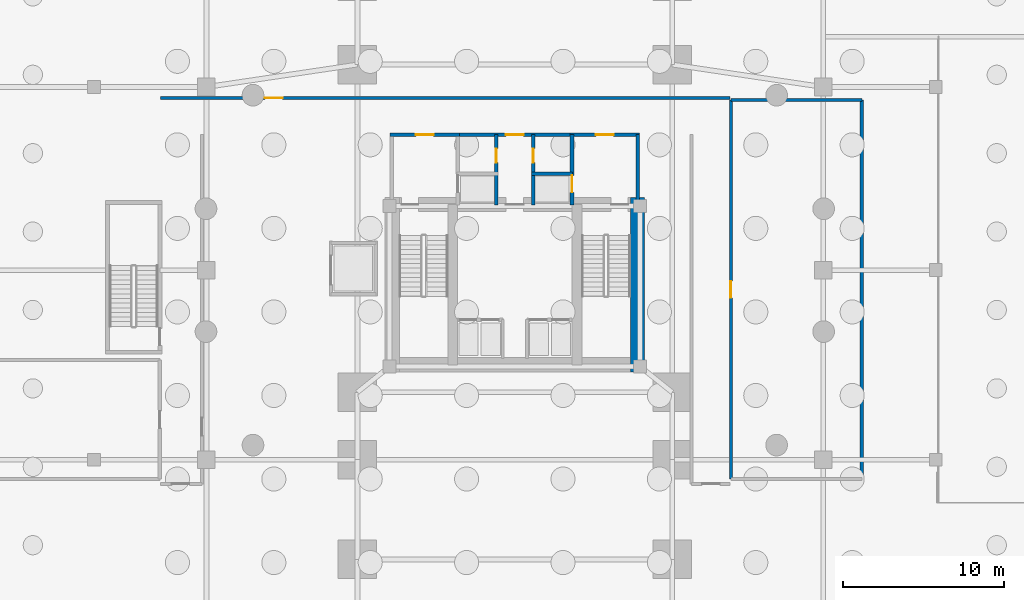
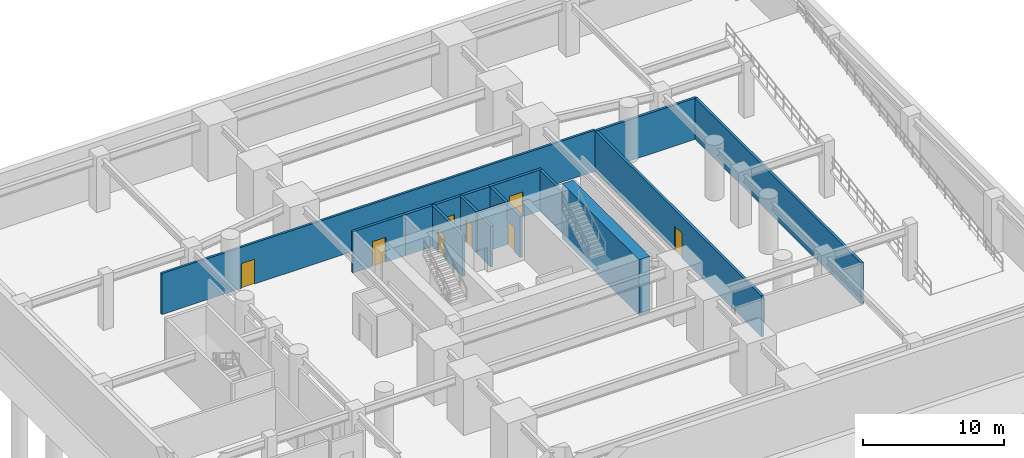
# One storey, part 4 of 8: 13 walls, 8 doors, 8 openings.
"""IFC4 building model written with IfcOpenShell, lengths in metres."""

import ifcopenshell
import ifcopenshell.guid

model = None  # the IFC model being written
_history = None  # IfcOwnerHistory: only IFC2X3 demands one
_inside = {}  # id of a spatial element -> (the spatial element, [elements in it])
_under = {}  # id of a project, library or spatial element -> (it, [spatial elements below it])
_declared = {}  # id of a project -> (the project, [libraries it declares])
_typed = {}  # id of a type object -> (the type object, [elements of that type])
_made_of = {}  # id of a material, layer set ... -> (it, [elements and type objects made of it])


def new_model(schema):
    """Start an empty IFC model of exactly this schema.

    Asked for "IFC4X3", IfcOpenShell would pick the latest addendum, in which some entities
    have other attributes; the version numbers below select the first issue.
    IFC2X3 requires an IfcOwnerHistory on every rooted entity: one is made here for all.
    """
    global model, _history
    if schema == "IFC4X3":
        model = ifcopenshell.file(schema_version=(4, 3, 0, 0))
    else:
        model = ifcopenshell.file(schema=schema)
    _inside.clear()
    _under.clear()
    _declared.clear()
    _typed.clear()
    _made_of.clear()
    _history = None
    if model.schema == "IFC2X3":
        org = make("IfcOrganization", Name="unknown")
        user = make(
            "IfcPersonAndOrganization",
            ThePerson=make("IfcPerson", FamilyName="unknown"),
            TheOrganization=org,
        )
        app = make(
            "IfcApplication",
            ApplicationDeveloper=org,
            Version="unknown",
            ApplicationFullName="unknown",
            ApplicationIdentifier="unknown",
        )
        _history = make(
            "IfcOwnerHistory",
            OwningUser=user,
            OwningApplication=app,
            ChangeAction="ADDED",
            CreationDate=0,
        )
    return model


def make(cls, **values):
    """One entity of the class cls with the attributes given. An attribute that is None is left unset."""
    return model.create_entity(
        cls, **{name: value for name, value in values.items() if value is not None}
    )


def rooted(cls, **values):
    """An entity with a GlobalId (a new one), such as an element, a storey or a relation."""
    return make(cls, GlobalId=ifcopenshell.guid.new(), OwnerHistory=_history, **values)


def si_unit(unit_type, name, prefix=None):
    """IfcSIUnit, for example si_unit("LENGTHUNIT", "METRE", prefix="MILLI")."""
    return make("IfcSIUnit", UnitType=unit_type, Prefix=prefix, Name=name)


def assignment(units):
    """IfcUnitAssignment: the units of a project."""
    return None if units is None else make("IfcUnitAssignment", Units=units)


def point(xyz):
    """IfcCartesianPoint."""
    return None if xyz is None else make("IfcCartesianPoint", Coordinates=xyz)


def direction(xyz):
    """IfcDirection."""
    return None if xyz is None else make("IfcDirection", DirectionRatios=xyz)


def frame(location, z_axis=None, x_axis=None):
    """IfcAxis2Placement3D, a coordinate frame: its origin and axes. An axis left out is left unset."""
    return make(
        "IfcAxis2Placement3D",
        Location=point(location),
        Axis=direction(z_axis),
        RefDirection=direction(x_axis),
    )


def frame_2d(location, x_axis=None):
    """IfcAxis2Placement2D, a coordinate frame in the plane: its origin and x axis."""
    return make(
        "IfcAxis2Placement2D", Location=point(location), RefDirection=direction(x_axis)
    )


def origin():
    """The frame at (0, 0, 0) with its axes left unset."""
    return frame((0.0, 0.0, 0.0))


def place(relative_to, where):
    """IfcLocalPlacement: puts the frame where relative to a parent placement (None: the world)."""
    return make(
        "IfcLocalPlacement", PlacementRelTo=relative_to, RelativePlacement=where
    )


def context(
    kind, dimensions, precision=None, world=None, true_north=None, identifier=None
):
    """IfcGeometricRepresentationContext, for example the 3D "Model" context."""
    return make(
        "IfcGeometricRepresentationContext",
        ContextIdentifier=identifier,
        ContextType=kind,
        CoordinateSpaceDimension=dimensions,
        Precision=precision,
        WorldCoordinateSystem=world,
        TrueNorth=true_north,
    )


def subcontext(parent, identifier, kind, view, scale=None):
    """IfcGeometricRepresentationSubContext, for example "Body" below "Model"."""
    return make(
        "IfcGeometricRepresentationSubContext",
        ContextIdentifier=identifier,
        ContextType=kind,
        ParentContext=parent,
        TargetScale=scale,
        TargetView=view,
    )


def project(units=None, contexts=None):
    """IfcProject with its units and contexts."""
    return rooted(
        "IfcProject",
        Name="project",
        RepresentationContexts=contexts,
        UnitsInContext=assignment(units),
    )


def spatial(cls, under=None, at=None, **own):
    """A site, building, storey or space (cls), placed at a placement, below another one or the project."""
    s = rooted(cls, ObjectPlacement=at, **own)
    if under is not None:
        _under.setdefault(under.id(), (under, []))[1].append(s)
    return s


def profile(cls, at=None, kind="AREA", **sizes):
    """A parametric profile (cls). Its sizes go by their IFC names, for example OverallWidth=200.0."""
    return make(cls, ProfileType=kind, Position=at, **sizes)


def rectangle(**sizes):
    """IfcRectangleProfileDef."""
    return profile("IfcRectangleProfileDef", **sizes)


def extrude(swept, where, along, depth):
    """IfcExtrudedAreaSolid: the profile swept, set in the frame where, extruded along a direction by depth."""
    return make(
        "IfcExtrudedAreaSolid",
        SweptArea=swept,
        Position=where,
        ExtrudedDirection=direction(along),
        Depth=depth,
    )


def shape(context_of_items, identifier, shape_type, items):
    """IfcShapeRepresentation: the items that make up one representation, for example the "Body"."""
    return make(
        "IfcShapeRepresentation",
        ContextOfItems=context_of_items,
        RepresentationIdentifier=identifier,
        RepresentationType=shape_type,
        Items=items,
    )


def material(Name=None, Category=None):
    """IfcMaterial."""
    return make("IfcMaterial", Name=Name, Category=Category)


def layer(
    of_material, thickness, ventilated=None, Name=None, Category=None, Priority=None
):
    """IfcMaterialLayer: one layer of a wall or slab, of a material (None: an air gap)."""
    return make(
        "IfcMaterialLayer",
        Material=of_material,
        LayerThickness=thickness,
        IsVentilated=ventilated,
        Name=Name,
        Category=Category,
        Priority=Priority,
    )


def layer_set(layers, Name=None):
    """IfcMaterialLayerSet."""
    return make("IfcMaterialLayerSet", MaterialLayers=layers, LayerSetName=Name)


def made_of(thing, what):
    """Note that an element or type object is made of a material, layer set ...; save() writes the relation."""
    if what is not None:
        _made_of.setdefault(what.id(), (what, []))[1].append(thing)
    return thing


def type_object(cls, material=None, **own):
    """A type object (cls), such as IfcWallType, which elements share."""
    return made_of(rooted(cls, **own), material)


def element(
    cls,
    number,
    at=None,
    inside=None,
    cuts=None,
    type_object=None,
    material=None,
    context=None,
    identifier="Body",
    shape_type=None,
    held_by="IfcProductDefinitionShape",
    body=None,
    shapes=None,
    **own,
):
    """One element of the class cls, such as IfcWall. Its Tag is "e" and its number.

    at: its placement. inside: the storey or other place that contains it. cuts: it is an
    opening in that element (IfcRelVoidsElement). A single representation is given by context,
    identifier, shape_type and body (its items); several are given by shapes. held_by: the class
    of the entity that holds the representations. save() writes the other relations.
    """
    e = rooted(cls, Tag="e%d" % number, ObjectPlacement=at, **own)
    if body is not None:
        shapes = [shape(context, identifier, shape_type, body)]
    if shapes is not None:
        e.Representation = make(held_by, Representations=shapes)
    if inside is not None:
        _inside.setdefault(inside.id(), (inside, []))[1].append(e)
    if cuts is not None:
        rooted(
            "IfcRelVoidsElement", RelatingBuildingElement=cuts, RelatedOpeningElement=e
        )
    if type_object is not None:
        _typed.setdefault(type_object.id(), (type_object, []))[1].append(e)
    return made_of(e, material)


def fill(opening, filler):
    """IfcRelFillsElement: the door or window that sits in an opening."""
    return rooted(
        "IfcRelFillsElement",
        RelatingOpeningElement=opening,
        RelatedBuildingElement=filler,
    )


def aggregate(whole, parts):
    """IfcRelAggregates: a whole, such as a stair, and the parts it consists of."""
    return rooted("IfcRelAggregates", RelatingObject=whole, RelatedObjects=parts)


def save(model, path):
    """Write the relations noted so far, then the file.

    IfcRelAggregates (storeys below a building ...), IfcRelContainedInSpatialStructure (elements
    in a storey), IfcRelDefinesByType, IfcRelAssociatesMaterial and IfcRelDeclares: one each for
    every whole, place, type object, material and project.
    """
    for whole, parts in _under.values():
        aggregate(whole, parts)
    for where, things in _inside.values():
        rooted(
            "IfcRelContainedInSpatialStructure",
            RelatedElements=things,
            RelatingStructure=where,
        )
    for kind, things in _typed.values():
        rooted("IfcRelDefinesByType", RelatedObjects=things, RelatingType=kind)
    for what, things in _made_of.values():
        rooted("IfcRelAssociatesMaterial", RelatedObjects=things, RelatingMaterial=what)
    for by, libraries in _declared.values():
        rooted("IfcRelDeclares", RelatingContext=by, RelatedDefinitions=libraries)
    model.write(path)


model = new_model("IFC4")

# Units and contexts
model_context = context("Model", 3, precision=1e-05, world=origin(), true_north=direction((0.0, 1.0)))
body_context = subcontext(model_context, "Body", "Model", "MODEL_VIEW")
ifc_project = project(units=[si_unit("LENGTHUNIT", "METRE"), si_unit("AREAUNIT", "SQUARE_METRE"), si_unit("VOLUMEUNIT", "CUBIC_METRE"), si_unit("PLANEANGLEUNIT", "RADIAN"), si_unit("MASSUNIT", "GRAM", prefix="KILO"), si_unit("THERMODYNAMICTEMPERATUREUNIT", "KELVIN"), si_unit("POWERUNIT", "WATT")], contexts=[model_context])

# Site, building, storey
site_placement = place(None, origin())
site = spatial("IfcSite", under=ifc_project, at=site_placement, CompositionType="ELEMENT")
building_placement = place(site_placement, origin())
building = spatial("IfcBuilding", under=site, at=building_placement, Name="Ocrelia Relay Tower", CompositionType="ELEMENT")
storey_placement = place(building_placement, frame((0.0, 0.0, -9.60009765625)))
storey = spatial("IfcBuildingStorey", under=building, at=storey_placement, Name="B2", CompositionType="ELEMENT", Elevation=-9.60009765625)

# Wall
ifc_material_1 = material(Name="Concrete C70/85", Category="concrete")
ifc_layer_1 = layer(ifc_material_1, 0.89990234375, Name="Concrete C70/85")
ifc_layer_set_1 = layer_set([ifc_layer_1], Name="Concrete C70/85")
wall_type_1 = type_object("IfcWallType", Name="CW-CORE-900", PredefinedType="SHEAR", material=ifc_layer_set_1)
wall_1_placement = place(storey_placement, frame((41.637939453125, 19.662109375, 0.0), z_axis=(0.0, 0.0, 1.0), x_axis=(0.0, 1.0, 0.0)))
element("IfcWall", 1, at=wall_1_placement, inside=storey, type_object=wall_type_1, Name="B2 Core Shear Wall E", PredefinedType="SHEAR", context=body_context, shape_type="SweptSolid", body=[
    extrude(rectangle(XDim=10.8759765625, YDim=0.89990234375, at=frame_2d((5.43798828125, 0.0))), origin(), (0.0, 0.0, 1.0), 4.800048828125),
])

# Wall, opening, door
ifc_material_2 = material(Name="Gypsum Fireboard Partition EI60", Category="gypsum")
ifc_layer_2 = layer(ifc_material_2, 0.179931640625, Name="Gypsum Fireboard Partition EI60")
ifc_layer_set_2 = layer_set([ifc_layer_2], Name="Gypsum Fireboard Partition EI60")
wall_type_2 = type_object("IfcWallType", Name="W-CORR-EI60-180", PredefinedType="PARTITIONING", material=ifc_layer_set_2)
wall_2_placement = place(storey_placement, frame((11.949951171875, 36.719970703125, 0.0), z_axis=(0.0, 0.0, 1.0), x_axis=(1.0, 0.0, 0.0)))
wall_2 = element("IfcWall", 2, at=wall_2_placement, inside=storey, type_object=wall_type_2, Name="B2 Basement Corridor North Wall", PredefinedType="PARTITIONING", context=body_context, shape_type="SweptSolid", body=[
    extrude(rectangle(XDim=35.449951171875, YDim=0.179931640625, at=frame_2d((17.72509765625, 0.0))), origin(), (0.0, 0.0, 1.0), 3.56005859375),
])
opening_1_placement = place(wall_2_placement, frame((6.5, 0.0, 0.0)))
opening_1 = element("IfcOpeningElement", 3, at=opening_1_placement, cuts=wall_2, Name="Opening D-FD60", PredefinedType="OPENING", context=body_context, shape_type="SweptSolid", body=[
    extrude(rectangle(XDim=1.10009765625, YDim=2.14990234375, at=frame_2d((0.550048828125, 1.074951171875))), frame((0.0, 0.10009765625, 0.0), z_axis=(0.0, -1.0, 0.0), x_axis=(1.0, 0.0, 0.0)), (0.0, 0.0, 1.0), 0.199951171875),
])
ifc_material_3 = material(Name="Timber-core 60-min acoustic fire door", Category="wood")
door_type_1 = type_object("IfcDoorType", Name="DR-LOBBY-FD60-1100", OperationType="NOTDEFINED", PredefinedType="DOOR", material=ifc_material_3)
door_1_placement = place(opening_1_placement, origin())
door_1 = element("IfcDoor", 4, at=door_1_placement, inside=storey, type_object=door_type_1, Name="B2 Car Park North Vestibule Fire Door", OperationType="SINGLE_SWING_LEFT", OverallHeight=2.14990234375, OverallWidth=1.10009765625, PredefinedType="DOOR", context=body_context, shape_type="SweptSolid", body=[
    extrude(rectangle(XDim=1.10009765625, YDim=2.14990234375, at=frame_2d((0.550048828125, 1.074951171875))), frame((0.0, 0.02490234375, 0.0), z_axis=(0.0, -1.0, 0.0), x_axis=(1.0, 0.0, 0.0)), (0.0, 0.0, 1.0), 0.050048828125),
])
fill(opening_1, door_1)

ifc_material_4 = material(Name="Concrete C50/60", Category="concrete")
ifc_layer_3 = layer(ifc_material_4, 0.219970703125, Name="Concrete C50/60")
ifc_layer_set_3 = layer_set([ifc_layer_3], Name="Concrete C50/60")
wall_type_3 = type_object("IfcWallType", Name="W-FFL-EI120-220", PredefinedType="SOLIDWALL", material=ifc_layer_set_3)
wall_3_placement = place(storey_placement, frame((26.239990234375, 34.429931640625, 0.0), z_axis=(0.0, 0.0, 1.0), x_axis=(1.0, 0.0, 0.0)))
wall_3 = element("IfcWall", 5, at=wall_3_placement, inside=storey, type_object=wall_type_3, Name="B2 W Fire Service Lift Lobby North Wall", PredefinedType="SOLIDWALL", context=body_context, shape_type="SweptSolid", body=[
    extrude(rectangle(XDim=4.31005859375, YDim=0.219970703125, at=frame_2d((2.155029296875, 0.0))), origin(), (0.0, 0.0, 1.0), 3.56005859375),
])
opening_2_placement = place(wall_3_placement, frame((1.60009765625, 0.0, 0.0)))
opening_2 = element("IfcOpeningElement", 6, at=opening_2_placement, cuts=wall_3, Name="Opening D-FD60", PredefinedType="OPENING", context=body_context, shape_type="SweptSolid", body=[
    extrude(rectangle(XDim=1.10009765625, YDim=2.14990234375, at=frame_2d((0.550048828125, 1.074951171875))), frame((0.0, 0.1201171875, 0.0), z_axis=(0.0, -1.0, 0.0), x_axis=(1.0, 0.0, 0.0)), (0.0, 0.0, 1.0), 0.239990234375),
])
door_2_placement = place(opening_2_placement, origin())
door_2 = element("IfcDoor", 7, at=door_2_placement, inside=storey, type_object=door_type_1, Name="B2 W Fire Service Lift Lobby Exit Door", OperationType="SINGLE_SWING_LEFT", OverallHeight=2.14990234375, OverallWidth=1.10009765625, PredefinedType="DOOR", context=body_context, shape_type="SweptSolid", body=[
    extrude(rectangle(XDim=1.10009765625, YDim=2.14990234375, at=frame_2d((0.550048828125, 1.074951171875))), frame((0.0, 0.02490234375, 0.0), z_axis=(0.0, -1.0, 0.0), x_axis=(1.0, 0.0, 0.0)), (0.0, 0.0, 1.0), 0.050048828125),
])
fill(opening_2, door_2)

wall_4_placement = place(storey_placement, frame((37.56005859375, 30.050048828125, 0.0), z_axis=(0.0, 0.0, 1.0), x_axis=(0.0, 1.0, 0.0)))
wall_4 = element("IfcWall", 8, at=wall_4_placement, inside=storey, type_object=wall_type_3, Name="B2 E Fire Service Lift Lobby West Wall", PredefinedType="SOLIDWALL", context=body_context, shape_type="SweptSolid", body=[
    extrude(rectangle(XDim=4.3798828125, YDim=0.219970703125, at=frame_2d((2.18994140625, 0.0))), origin(), (0.0, 0.0, 1.0), 3.56005859375),
])
opening_3_placement = place(wall_4_placement, frame((0.800048828125, 0.0, 0.0)))
opening_3 = element("IfcOpeningElement", 9, at=opening_3_placement, cuts=wall_4, Name="Opening LD-FFL2", PredefinedType="OPENING", context=body_context, shape_type="SweptSolid", body=[
    extrude(rectangle(XDim=1.050048828125, YDim=2.10009765625, at=frame_2d((0.52490234375, 1.050048828125))), frame((0.0, 0.1201171875, 0.0), z_axis=(0.0, -1.0, 0.0), x_axis=(1.0, 0.0, 0.0)), (0.0, 0.0, 1.0), 0.239990234375),
])
ifc_material_5 = material(Name="Brushed stainless steel S355 lift landing door", Category="steel")
door_type_2 = type_object("IfcDoorType", Name="DR-LIFT-LAND-1050", OperationType="DOUBLE_DOOR_SLIDING", PredefinedType="USERDEFINED", material=ifc_material_5)
door_3_placement = place(opening_3_placement, origin())
door_3 = element("IfcDoor", 10, at=door_3_placement, inside=storey, type_object=door_type_2, Name="B2 Firefighting Lift FFL2 Sliding Landing Door", ObjectType="LANDING DOOR", OperationType="DOUBLE_DOOR_SLIDING", OverallHeight=2.10009765625, OverallWidth=1.050048828125, PredefinedType="USERDEFINED", context=body_context, shape_type="SweptSolid", body=[
    extrude(rectangle(XDim=1.050048828125, YDim=2.10009765625, at=frame_2d((0.52490234375, 1.050048828125))), frame((0.0, 0.02490234375, 0.0), z_axis=(0.0, -1.0, 0.0), x_axis=(1.0, 0.0, 0.0)), (0.0, 0.0, 1.0), 0.050048828125),
])
fill(opening_3, door_3)

# Wall
wall_5_placement = place(storey_placement, frame((41.64990234375, 30.050048828125, 0.0), z_axis=(0.0, 0.0, 1.0), x_axis=(0.0, 1.0, 0.0)))
element("IfcWall", 11, at=wall_5_placement, inside=storey, type_object=wall_type_3, Name="B2 E Fire Service Lift Lobby East Wall", PredefinedType="SOLIDWALL", context=body_context, shape_type="SweptSolid", body=[
    extrude(rectangle(XDim=4.3798828125, YDim=0.219970703125, at=frame_2d((2.18994140625, 0.0))), origin(), (0.0, 0.0, 1.0), 3.56005859375),
])

# Wall, opening, door
wall_6_placement = place(storey_placement, frame((37.449951171875, 34.429931640625, 0.0), z_axis=(0.0, 0.0, 1.0), x_axis=(1.0, 0.0, 0.0)))
wall_6 = element("IfcWall", 12, at=wall_6_placement, inside=storey, type_object=wall_type_3, Name="B2 E Fire Service Lift Lobby North Wall", PredefinedType="SOLIDWALL", context=body_context, shape_type="SweptSolid", body=[
    extrude(rectangle(XDim=4.31005859375, YDim=0.219970703125, at=frame_2d((2.155029296875, 0.0))), origin(), (0.0, 0.0, 1.0), 3.56005859375),
])
opening_4_placement = place(wall_6_placement, frame((1.60009765625, 0.0, 0.0)))
opening_4 = element("IfcOpeningElement", 13, at=opening_4_placement, cuts=wall_6, Name="Opening D-FD60", PredefinedType="OPENING", context=body_context, shape_type="SweptSolid", body=[
    extrude(rectangle(XDim=1.10009765625, YDim=2.14990234375, at=frame_2d((0.550048828125, 1.074951171875))), frame((0.0, 0.1201171875, 0.0), z_axis=(0.0, -1.0, 0.0), x_axis=(1.0, 0.0, 0.0)), (0.0, 0.0, 1.0), 0.239990234375),
])
door_4_placement = place(opening_4_placement, origin())
door_4 = element("IfcDoor", 14, at=door_4_placement, inside=storey, type_object=door_type_1, Name="B2 E Fire Service Lift Lobby Exit Door", OperationType="SINGLE_SWING_LEFT", OverallHeight=2.14990234375, OverallWidth=1.10009765625, PredefinedType="DOOR", context=body_context, shape_type="SweptSolid", body=[
    extrude(rectangle(XDim=1.10009765625, YDim=2.14990234375, at=frame_2d((0.550048828125, 1.074951171875))), frame((0.0, 0.02490234375, 0.0), z_axis=(0.0, -1.0, 0.0), x_axis=(1.0, 0.0, 0.0)), (0.0, 0.0, 1.0), 0.050048828125),
])
fill(opening_4, door_4)

wall_7_placement = place(storey_placement, frame((30.43994140625, 34.429931640625, 0.0), z_axis=(0.0, 0.0, 1.0), x_axis=(1.0, 0.0, 0.0)))
wall_7 = element("IfcWall", 15, at=wall_7_placement, inside=storey, type_object=wall_type_3, Name="B2 North Core Vestibule Wall", PredefinedType="SOLIDWALL", context=body_context, shape_type="SweptSolid", body=[
    extrude(rectangle(XDim=7.1201171875, YDim=0.219970703125, at=frame_2d((3.56005859375, 0.0))), origin(), (0.0, 0.0, 1.0), 3.56005859375),
])
opening_5_placement = place(wall_7_placement, frame((3.010009765625, 0.0, 0.0)))
opening_5 = element("IfcOpeningElement", 16, at=opening_5_placement, cuts=wall_7, Name="Opening D-FD60", PredefinedType="OPENING", context=body_context, shape_type="SweptSolid", body=[
    extrude(rectangle(XDim=1.10009765625, YDim=2.14990234375, at=frame_2d((0.550048828125, 1.074951171875))), frame((0.0, 0.1201171875, 0.0), z_axis=(0.0, -1.0, 0.0), x_axis=(1.0, 0.0, 0.0)), (0.0, 0.0, 1.0), 0.239990234375),
])
door_5_placement = place(opening_5_placement, origin())
door_5 = element("IfcDoor", 17, at=door_5_placement, inside=storey, type_object=door_type_1, Name="B2 North Core Vestibule Corridor Door", OperationType="SINGLE_SWING_LEFT", OverallHeight=2.14990234375, OverallWidth=1.10009765625, PredefinedType="DOOR", context=body_context, shape_type="SweptSolid", body=[
    extrude(rectangle(XDim=1.10009765625, YDim=2.14990234375, at=frame_2d((0.550048828125, 1.074951171875))), frame((0.0, 0.02490234375, 0.0), z_axis=(0.0, -1.0, 0.0), x_axis=(1.0, 0.0, 0.0)), (0.0, 0.0, 1.0), 0.050048828125),
])
fill(opening_5, door_5)

ifc_layer_4 = layer(ifc_material_4, 0.199951171875, Name="Concrete C50/60")
ifc_layer_set_4 = layer_set([ifc_layer_4], Name="Concrete C50/60")
wall_type_4 = type_object("IfcWallType", Name="W-SHAFT-EI120-200", PredefinedType="SOLIDWALL", material=ifc_layer_set_4)
wall_8_placement = place(storey_placement, frame((32.85009765625, 30.050048828125, 0.0), z_axis=(0.0, 0.0, 1.0), x_axis=(0.0, 1.0, 0.0)))
wall_8 = element("IfcWall", 18, at=wall_8_placement, inside=storey, type_object=wall_type_4, Name="B2 FFL1 and Service Vestibule Wall", PredefinedType="SOLIDWALL", context=body_context, shape_type="SweptSolid", body=[
    extrude(rectangle(XDim=4.3798828125, YDim=0.199951171875, at=frame_2d((2.18994140625, 0.0))), origin(), (0.0, 0.0, 1.0), 3.56005859375),
])
opening_6_placement = place(wall_8_placement, frame((2.64990234375, 0.0, 0.0)))
opening_6 = element("IfcOpeningElement", 19, at=opening_6_placement, cuts=wall_8, Name="Opening D-RS86", PredefinedType="OPENING", context=body_context, shape_type="SweptSolid", body=[
    extrude(rectangle(XDim=0.860107421875, YDim=2.050048828125, at=frame_2d((0.43017578125, 1.02490234375))), frame((0.0, 0.10986328125, 0.0), z_axis=(0.0, -1.0, 0.0), x_axis=(1.0, 0.0, 0.0)), (0.0, 0.0, 1.0), 0.219970703125),
])
ifc_material_6 = material(Name="Steel S355 riser access fire door", Category="steel")
door_type_3 = type_object("IfcDoorType", Name="DR-RISER-TRAP-860", OperationType="NOTDEFINED", PredefinedType="TRAPDOOR", material=ifc_material_6)
door_6_placement = place(opening_6_placement, origin())
door_6 = element("IfcDoor", 20, at=door_6_placement, inside=storey, type_object=door_type_3, Name="B2 Core Support Room W Door", OperationType="SINGLE_SWING_RIGHT", OverallHeight=2.050048828125, OverallWidth=0.860107421875, PredefinedType="TRAPDOOR", context=body_context, shape_type="SweptSolid", body=[
    extrude(rectangle(XDim=0.860107421875, YDim=2.050048828125, at=frame_2d((0.43017578125, 1.02490234375))), frame((0.0, 0.02490234375, 0.0), z_axis=(0.0, -1.0, 0.0), x_axis=(1.0, 0.0, 0.0)), (0.0, 0.0, 1.0), 0.050048828125),
])
fill(opening_6, door_6)

# Wall
wall_9_placement = place(storey_placement, frame((35.050048828125, 32.0, 0.0), z_axis=(0.0, 0.0, 1.0), x_axis=(1.0, 0.0, 0.0)))
element("IfcWall", 21, at=wall_9_placement, inside=storey, type_object=wall_type_4, Name="B2 FFL2 Hoistway North Wall", PredefinedType="SOLIDWALL", context=body_context, shape_type="SweptSolid", body=[
    extrude(rectangle(XDim=2.550048828125, YDim=0.199951171875, at=frame_2d((1.27490234375, 0.0))), origin(), (0.0, 0.0, 1.0), 3.56005859375),
])

# Wall, opening, door
wall_10_placement = place(storey_placement, frame((35.14990234375, 30.050048828125, 0.0), z_axis=(0.0, 0.0, 1.0), x_axis=(0.0, 1.0, 0.0)))
wall_10 = element("IfcWall", 22, at=wall_10_placement, inside=storey, type_object=wall_type_4, Name="B2 FFL2 and Service Vestibule Wall", PredefinedType="SOLIDWALL", context=body_context, shape_type="SweptSolid", body=[
    extrude(rectangle(XDim=4.3798828125, YDim=0.199951171875, at=frame_2d((2.18994140625, 0.0))), origin(), (0.0, 0.0, 1.0), 3.56005859375),
])
opening_7_placement = place(wall_10_placement, frame((2.64990234375, 0.0, 0.0)))
opening_7 = element("IfcOpeningElement", 23, at=opening_7_placement, cuts=wall_10, Name="Opening D-RS86", PredefinedType="OPENING", context=body_context, shape_type="SweptSolid", body=[
    extrude(rectangle(XDim=0.860107421875, YDim=2.050048828125, at=frame_2d((0.43017578125, 1.02490234375))), frame((0.0, 0.10986328125, 0.0), z_axis=(0.0, -1.0, 0.0), x_axis=(1.0, 0.0, 0.0)), (0.0, 0.0, 1.0), 0.219970703125),
])
door_7_placement = place(opening_7_placement, origin())
door_7 = element("IfcDoor", 24, at=door_7_placement, inside=storey, type_object=door_type_3, Name="B2 Core Support Room E Door", OperationType="SINGLE_SWING_RIGHT", OverallHeight=2.050048828125, OverallWidth=0.860107421875, PredefinedType="TRAPDOOR", context=body_context, shape_type="SweptSolid", body=[
    extrude(rectangle(XDim=0.860107421875, YDim=2.050048828125, at=frame_2d((0.43017578125, 1.02490234375))), frame((0.0, 0.02490234375, 0.0), z_axis=(0.0, -1.0, 0.0), x_axis=(1.0, 0.0, 0.0)), (0.0, 0.0, 1.0), 0.050048828125),
])
fill(opening_7, door_7)

wall_11_placement = place(storey_placement, frame((47.449951171875, 36.60009765625, 0.0), z_axis=(0.0, 0.0, 1.0), x_axis=(0.0, -1.0, 0.0)))
wall_11 = element("IfcWall", 25, at=wall_11_placement, inside=storey, type_object=wall_type_4, Name="B2 Chilled Water Primary Pump Room W Partition", PredefinedType="SOLIDWALL", context=body_context, shape_type="SweptSolid", body=[
    extrude(rectangle(XDim=23.60009765625, YDim=0.199951171875, at=frame_2d((11.800048828125, 0.0))), origin(), (0.0, 0.0, 1.0), 3.56005859375),
])
opening_8_placement = place(wall_11_placement, frame((11.27490234375, 0.0, 0.0)))
opening_8 = element("IfcOpeningElement", 26, at=opening_8_placement, cuts=wall_11, Name="Opening D-FD90", PredefinedType="OPENING", context=body_context, shape_type="SweptSolid", body=[
    extrude(rectangle(XDim=1.050048828125, YDim=2.14990234375, at=frame_2d((0.52490234375, 1.074951171875))), frame((0.0, 0.10986328125, 0.0), z_axis=(0.0, -1.0, 0.0), x_axis=(1.0, 0.0, 0.0)), (0.0, 0.0, 1.0), 0.219970703125),
])
ifc_material_7 = material(Name="Steel S355 90-min fire door", Category="steel")
door_type_4 = type_object("IfcDoorType", Name="DR-STAIR-FD90-1050", OperationType="NOTDEFINED", PredefinedType="DOOR", material=ifc_material_7)
door_8_placement = place(opening_8_placement, origin())
door_8 = element("IfcDoor", 27, at=door_8_placement, inside=storey, type_object=door_type_4, Name="B2 Chilled Water Primary Pump Room Door", OperationType="SINGLE_SWING_RIGHT", OverallHeight=2.14990234375, OverallWidth=1.050048828125, PredefinedType="DOOR", context=body_context, shape_type="SweptSolid", body=[
    extrude(rectangle(XDim=1.050048828125, YDim=2.14990234375, at=frame_2d((0.52490234375, 1.074951171875))), frame((0.0, 0.02490234375, 0.0), z_axis=(0.0, -1.0, 0.0), x_axis=(1.0, 0.0, 0.0)), (0.0, 0.0, 1.0), 0.050048828125),
])
fill(opening_8, door_8)

# Walls
wall_12_placement = place(storey_placement, frame((55.60009765625, 13.0, 0.0), z_axis=(0.0, 0.0, 1.0), x_axis=(0.0, 1.0, 0.0)))
element("IfcWall", 28, at=wall_12_placement, inside=storey, type_object=wall_type_4, Name="B2 Chilled Water Primary Pump Room E Partition", PredefinedType="SOLIDWALL", context=body_context, shape_type="SweptSolid", body=[
    extrude(rectangle(XDim=23.60009765625, YDim=0.199951171875, at=frame_2d((11.800048828125, 0.0))), origin(), (0.0, 0.0, 1.0), 3.56005859375),
])
wall_13_placement = place(storey_placement, frame((55.60009765625, 36.60009765625, 0.0), z_axis=(0.0, 0.0, 1.0), x_axis=(-1.0, 0.0, 0.0)))
element("IfcWall", 29, at=wall_13_placement, inside=storey, type_object=wall_type_4, Name="B2 Chilled Water Primary Pump Room N Partition", PredefinedType="SOLIDWALL", context=body_context, shape_type="SweptSolid", body=[
    extrude(rectangle(XDim=8.150146484375, YDim=0.199951171875, at=frame_2d((4.0751953125, 0.0))), origin(), (0.0, 0.0, 1.0), 3.56005859375),
])

save(model, "model.ifc")
